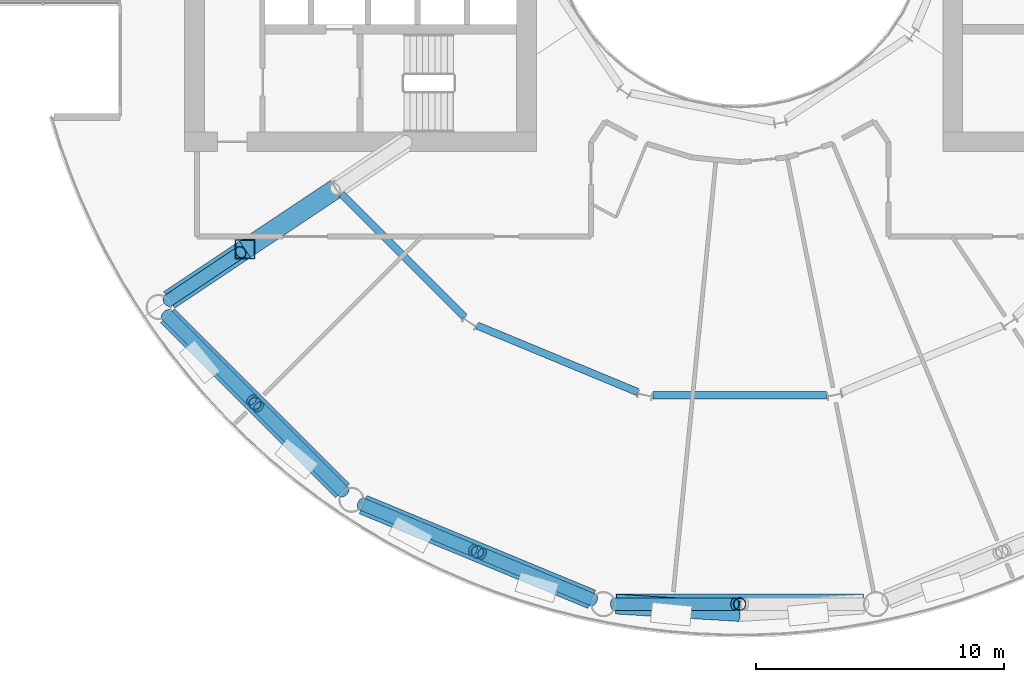
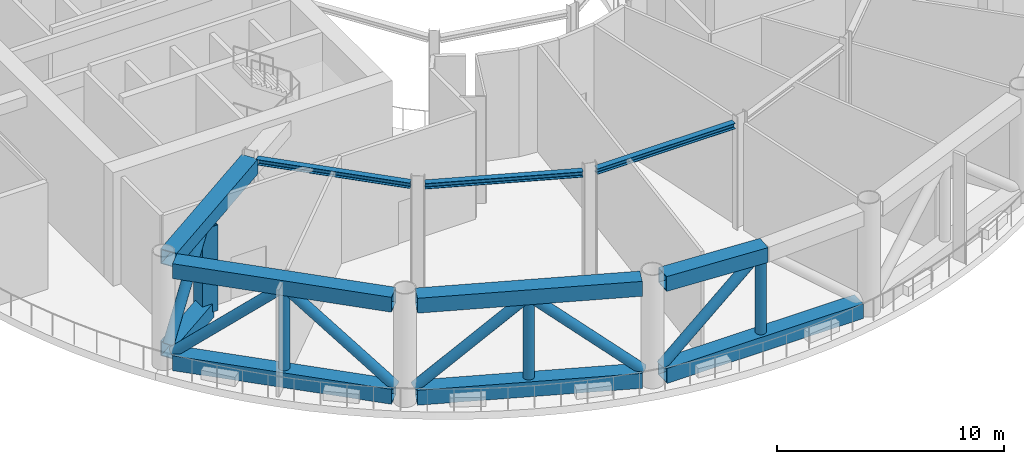
# One storey, part 4 of 22: 11 beams, 10 members.
"""IFC4 building model written with IfcOpenShell, lengths in metres."""

from ifc_helpers import new_model, si_unit, direction, frame, origin, origin_2d, place, context, subcontext, project, spatial, hollow_rectangle, hollow_circle, i_section, extrude, material, material_profile, profile_set, type_object, element, save


model = new_model("IFC4")

# Units and contexts
model_context = context("Model", 3, precision=1e-05, world=origin(), true_north=direction((0.0, 1.0)))
body_context = subcontext(model_context, "Body", "Model", "MODEL_VIEW")
ifc_project = project(units=[si_unit("LENGTHUNIT", "METRE"), si_unit("AREAUNIT", "SQUARE_METRE"), si_unit("VOLUMEUNIT", "CUBIC_METRE"), si_unit("PLANEANGLEUNIT", "RADIAN"), si_unit("MASSUNIT", "GRAM", prefix="KILO")], contexts=[model_context])

# Site, building, storey
site_placement = place(None, origin())
site = spatial("IfcSite", under=ifc_project, at=site_placement, CompositionType="ELEMENT")
building_placement = place(site_placement, origin())
building = spatial("IfcBuilding", under=site, at=building_placement, Name="Maasbend Ring Residences", CompositionType="ELEMENT")
storey_placement = place(building_placement, frame((0.0, 0.0, 57.5)))
storey = spatial("IfcBuildingStorey", under=building, at=storey_placement, Name="L16", CompositionType="ELEMENT", Elevation=57.5)

# Beams
ifc_material_1 = material(Name="Steel S460M", Category="steel")
ifc_material_profile_1 = material_profile(ifc_material_1, hollow_rectangle(XDim=0.800048828125, YDim=0.800048828125, WallThickness=0.0400390625, at=origin_2d()), Name="Belt truss chord BX 800x800x40")
ifc_profile_set_1 = profile_set([ifc_material_profile_1], Name="Steel S460M")
beam_type_1 = type_object("IfcBeamType", Name="Belt truss chord BX 800x800x40", PredefinedType="BEAM", material=ifc_profile_set_1)
for number, where, z_axis, x_axis, name in (
    (1, (-23.088134765625, -16.0263671875, 0.39990234375), (0.707106781187, -0.707106781187, 0.0), (0.707106781187, 0.707106781187, 0.0), "Belt truss"),
    (2, (-23.088134765625, -16.0263671875, 5.35009765625), (0.707106781187, -0.707106781187, 0.0), (0.707106781187, 0.707106781187, 0.0), "Belt truss"),
):
    element("IfcBeam", number, at=place(storey_placement, frame(where, z_axis=z_axis, x_axis=x_axis)), inside=storey, type_object=beam_type_1, Name=name, PredefinedType="BEAM", context=body_context, shape_type="SweptSolid", body=[
        extrude(hollow_rectangle(XDim=0.800048828125, YDim=0.800048828125, WallThickness=0.0400390625, at=origin_2d()), origin(), (0.0, 0.0, 1.0), 9.98681640625),
    ])
for number, where, z_axis, x_axis, name in (
    (3, (-15.19775390625, -23.641845703125, 0.39990234375), (0.923886337442, -0.382667003395, 0.0), (0.382667003395, 0.923886337442, 0.0), "Belt truss"),
    (4, (-15.19775390625, -23.641845703125, 5.35009765625), (0.923886337442, -0.382667003395, 0.0), (0.382667003395, 0.923886337442, 0.0), "Belt truss"),
):
    element("IfcBeam", number, at=place(storey_placement, frame(where, z_axis=z_axis, x_axis=x_axis)), inside=storey, type_object=beam_type_1, Name=name, PredefinedType="BEAM", context=body_context, shape_type="SweptSolid", body=[
        extrude(hollow_rectangle(XDim=0.800048828125, YDim=0.800048828125, WallThickness=0.0400390625, at=origin_2d()), origin(), (0.0, 0.0, 1.0), 9.9873046875),
    ])
beam_1_placement = place(storey_placement, frame((-4.993408203125, -27.658203125, 0.39990234375), z_axis=(1.0, 0.0, 0.0), x_axis=(0.0, 1.0, 0.0)))
element("IfcBeam", 5, at=beam_1_placement, inside=storey, type_object=beam_type_1, Name="Belt truss", PredefinedType="BEAM", context=body_context, shape_type="SweptSolid", body=[
    extrude(hollow_rectangle(XDim=0.800048828125, YDim=0.800048828125, WallThickness=0.0400390625, at=origin_2d()), origin(), (0.0, 0.0, 1.0), 9.98681640625),
])
beam_2_placement = place(storey_placement, frame((-4.993408203125, -27.658203125, 5.35009765625), z_axis=(0.998202452092, -0.059932166976, 0.0), x_axis=(0.059932166976, 0.998202452092, 0.0)))
element("IfcBeam", 6, at=beam_2_placement, inside=storey, type_object=beam_type_1, Name="Belt truss", PredefinedType="BEAM", context=body_context, shape_type="SweptSolid", body=[
    extrude(hollow_rectangle(XDim=0.800048828125, YDim=0.800048828125, WallThickness=0.0400390625, at=origin_2d()), origin(), (0.0, 0.0, 1.0), 5.00244140625),
])

# Members
ifc_material_2 = material(Name="Steel S460NH", Category="steel")
ifc_material_profile_2 = material_profile(ifc_material_2, hollow_circle(Radius=0.25390625, WallThickness=0.02490234375, at=origin_2d()), Name="Belt truss diagonal CHS 508x25")
ifc_profile_set_2 = profile_set([ifc_material_profile_2], Name="Steel S460NH")
member_type_1 = type_object("IfcMemberType", Name="Belt truss diagonal CHS 508x25", PredefinedType="BRACE", material=ifc_profile_set_2)
for number, where, z_axis, x_axis, name in (
    (7, (-23.128662109375, -15.98583984375, 0.75), (0.531991428585, -0.531991428585, 0.658764176185), (0.707106781187, 0.707106781187, 0.0), "Belt truss diagonal"),
    (8, (-19.41796875, -19.696533203125, 5.0), (0.531991428585, -0.531991428585, -0.658764176185), (0.707106781187, 0.707106781187, 0.0), "Belt truss diagonal"),
    (9, (-15.25048828125, -23.619873046875, 0.75), (0.695087926756, -0.287904450499, 0.658759289469), (0.382671638182, 0.923884417734, 0.0), "Belt truss diagonal"),
    (10, (-10.40234375, -25.628173828125, 5.0), (0.695068367071, -0.287912023557, -0.658776617519), (0.382689421718, 0.923877051617, 0.0), "Belt truss diagonal"),
):
    element("IfcMember", number, at=place(storey_placement, frame(where, z_axis=z_axis, x_axis=x_axis)), inside=storey, type_object=member_type_1, Name=name, PredefinedType="BRACE", context=body_context, shape_type="SweptSolid", body=[
        extrude(hollow_circle(Radius=0.25390625, WallThickness=0.02490234375, at=origin_2d()), origin(), (0.0, 0.0, 1.0), 6.451416015625),
    ])
member_1_placement = place(storey_placement, frame((-5.050537109375, -27.658203125, 0.75), z_axis=(0.752332835899, 0.0, 0.658783199564), x_axis=(0.0, 1.0, 0.0)))
element("IfcMember", 11, at=member_1_placement, inside=storey, type_object=member_type_1, Name="Belt truss diagonal", PredefinedType="BRACE", context=body_context, shape_type="SweptSolid", body=[
    extrude(hollow_circle(Radius=0.25390625, WallThickness=0.02490234375, at=origin_2d()), origin(), (0.0, 0.0, 1.0), 6.451171875),
])
ifc_material_3 = material(Name="Steel S460NH", Category="steel")
ifc_material_profile_3 = material_profile(ifc_material_3, hollow_circle(Radius=0.25390625, WallThickness=0.01611328125, at=origin_2d()), Name="Belt truss post CHS 508x16")
ifc_profile_set_3 = profile_set([ifc_material_profile_3], Name="Steel S460NH")
member_type_2 = type_object("IfcMemberType", Name="Belt truss post CHS 508x16", PredefinedType="POST", material=ifc_profile_set_3)
for number, where, z_axis, x_axis, name in (
    (12, (-19.55712890625, -19.55712890625, 0.800048828125), (0.0, 0.0, 1.0), (1.0, 0.0, 0.0), "Belt truss post"),
    (13, (-10.584228515625, -25.552734375, 0.800048828125), (0.0, 0.0, 1.0), (1.0, 0.0, 0.0), "Belt truss post"),
    (14, (0.0, -27.658203125, 0.800048828125), (0.0, 0.0, 1.0), (1.0, 0.0, 0.0), "Belt truss post"),
):
    element("IfcMember", number, at=place(storey_placement, frame(where, z_axis=z_axis, x_axis=x_axis)), inside=storey, type_object=member_type_2, Name=name, PredefinedType="POST", context=body_context, shape_type="SweptSolid", body=[
        extrude(hollow_circle(Radius=0.25390625, WallThickness=0.01611328125, at=origin_2d()), origin(), (0.0, 0.0, 1.0), 4.14990234375),
    ])

# Beams
ifc_material_4 = material(Name="Steel S355J2", Category="steel")
ifc_material_profile_4 = material_profile(ifc_material_4, i_section(OverallWidth=0.300048828125, OverallDepth=0.300048828125, WebThickness=0.010986328125, FlangeThickness=0.01904296875, FilletRadius=0.027099609375, at=origin_2d()), Name="HEB 300")
ifc_profile_set_4 = profile_set([ifc_material_profile_4], Name="Steel S355J2")
beam_type_2 = type_object("IfcBeamType", Name="Corridor ring beam HEB 300", PredefinedType="BEAM", material=ifc_profile_set_4)
beam_3_placement = place(storey_placement, frame((-16.0732421875, -11.11279296875, 5.60009765625), z_axis=(0.707106781187, -0.707106781187, 0.0), x_axis=(0.707106781187, 0.707106781187, 0.0)))
element("IfcBeam", 15, at=beam_3_placement, inside=storey, type_object=beam_type_2, Name="Corridor ring beam", PredefinedType="BEAM", context=body_context, shape_type="SweptSolid", body=[
    extrude(i_section(OverallWidth=0.300048828125, OverallDepth=0.300048828125, WebThickness=0.010986328125, FlangeThickness=0.01904296875, FilletRadius=0.027099609375, at=origin_2d()), origin(), (0.0, 0.0, 1.0), 7.01513671875),
])
beam_4_placement = place(storey_placement, frame((-10.59716796875, -16.417724609375, 5.60009765625), z_axis=(0.923886196809, -0.38266734293, 0.0), x_axis=(0.38266734293, 0.923886196809, 0.0)))
element("IfcBeam", 16, at=beam_4_placement, inside=storey, type_object=beam_type_2, Name="Corridor ring beam", PredefinedType="BEAM", context=body_context, shape_type="SweptSolid", body=[
    extrude(i_section(OverallWidth=0.300048828125, OverallDepth=0.300048828125, WebThickness=0.010986328125, FlangeThickness=0.01904296875, FilletRadius=0.027099609375, at=origin_2d()), origin(), (0.0, 0.0, 1.0), 7.015380859375),
])
beam_5_placement = place(storey_placement, frame((-3.5078125, -19.223388671875, 5.60009765625), z_axis=(1.0, 0.0, 0.0), x_axis=(0.0, 1.0, 0.0)))
element("IfcBeam", 17, at=beam_5_placement, inside=storey, type_object=beam_type_2, Name="Corridor ring beam", PredefinedType="BEAM", context=body_context, shape_type="SweptSolid", body=[
    extrude(i_section(OverallWidth=0.300048828125, OverallDepth=0.300048828125, WebThickness=0.010986328125, FlangeThickness=0.01904296875, FilletRadius=0.027099609375, at=origin_2d()), origin(), (0.0, 0.0, 1.0), 7.015625),
])
ifc_material_5 = material(Name="Steel S460M", Category="steel")
ifc_material_profile_5 = material_profile(ifc_material_5, hollow_rectangle(XDim=0.800048828125, YDim=0.800048828125, WallThickness=0.0400390625, at=origin_2d()), Name="Outrigger truss chord BX 800x800x40")
ifc_profile_set_5 = profile_set([ifc_material_profile_5], Name="Steel S460M")
beam_type_3 = type_object("IfcBeamType", Name="Outrigger truss chord BX 800x800x40", PredefinedType="BEAM", material=ifc_profile_set_5)
beam_6_placement = place(storey_placement, frame((-23.02490234375, -15.385009765625, 0.39990234375), z_axis=(0.83143805452, 0.555617459676, 0.0), x_axis=(-0.555617459676, 0.83143805452, 0.0)))
element("IfcBeam", 18, at=beam_6_placement, inside=storey, type_object=beam_type_3, Name="Outrigger truss", PredefinedType="BEAM", context=body_context, shape_type="SweptSolid", body=[
    extrude(hollow_rectangle(XDim=0.800048828125, YDim=0.800048828125, WallThickness=0.0400390625, at=origin_2d()), origin(), (0.0, 0.0, 1.0), 3.68408203125),
])
beam_7_placement = place(storey_placement, frame((-23.02490234375, -15.385009765625, 5.35009765625), z_axis=(0.831450444505, 0.555598918585, 0.0), x_axis=(-0.555598918585, 0.831450444505, 0.0)))
element("IfcBeam", 19, at=beam_7_placement, inside=storey, type_object=beam_type_3, Name="Outrigger truss", PredefinedType="BEAM", context=body_context, shape_type="SweptSolid", body=[
    extrude(hollow_rectangle(XDim=0.800048828125, YDim=0.800048828125, WallThickness=0.0400390625, at=origin_2d()), origin(), (0.0, 0.0, 1.0), 8.083984375),
])

# Members
ifc_material_6 = material(Name="Steel S460NH", Category="steel")
ifc_material_profile_6 = material_profile(ifc_material_6, hollow_circle(Radius=0.25390625, WallThickness=0.02490234375, at=origin_2d()), Name="Outrigger truss diagonal CHS 508x25")
ifc_profile_set_6 = profile_set([ifc_material_profile_6], Name="Steel S460NH")
member_type_3 = type_object("IfcMemberType", Name="Outrigger truss diagonal CHS 508x25", PredefinedType="BRACE", material=ifc_profile_set_6)
member_2_placement = place(storey_placement, frame((-23.059326171875, -15.40771484375, 0.75), z_axis=(0.529709832536, 0.353922150921, 0.770809058329), x_axis=(-0.55555000103, 0.83148313053, 0.0)))
element("IfcMember", 20, at=member_2_placement, inside=storey, type_object=member_type_3, Name="Outrigger truss diagonal", PredefinedType="BRACE", context=body_context, shape_type="SweptSolid", body=[
    extrude(hollow_circle(Radius=0.25390625, WallThickness=0.02490234375, at=origin_2d()), origin(), (0.0, 0.0, 1.0), 5.513671875),
])
ifc_material_7 = material(Name="Steel S460M", Category="steel")
ifc_material_profile_7 = material_profile(ifc_material_7, hollow_rectangle(XDim=0.800048828125, YDim=0.800048828125, WallThickness=0.0400390625, at=origin_2d()), Name="Outrigger truss post BX 800x800x40")
ifc_profile_set_7 = profile_set([ifc_material_profile_7], Name="Steel S460M")
member_type_4 = type_object("IfcMemberType", Name="Outrigger truss post BX 800x800x40", PredefinedType="POST", material=ifc_profile_set_7)
member_3_placement = place(storey_placement, frame((-19.9619140625, -13.338134765625, 0.35009765625), z_axis=(0.0, 0.0, 1.0), x_axis=(1.0, 0.0, 0.0)))
element("IfcMember", 21, at=member_3_placement, inside=storey, type_object=member_type_4, Name="Outrigger truss post", PredefinedType="POST", context=body_context, shape_type="SweptSolid", body=[
    extrude(hollow_rectangle(XDim=0.800048828125, YDim=0.800048828125, WallThickness=0.0400390625, at=origin_2d()), origin(), (0.0, 0.0, 1.0), 4.599853515625),
])

save(model, "model.ifc")
